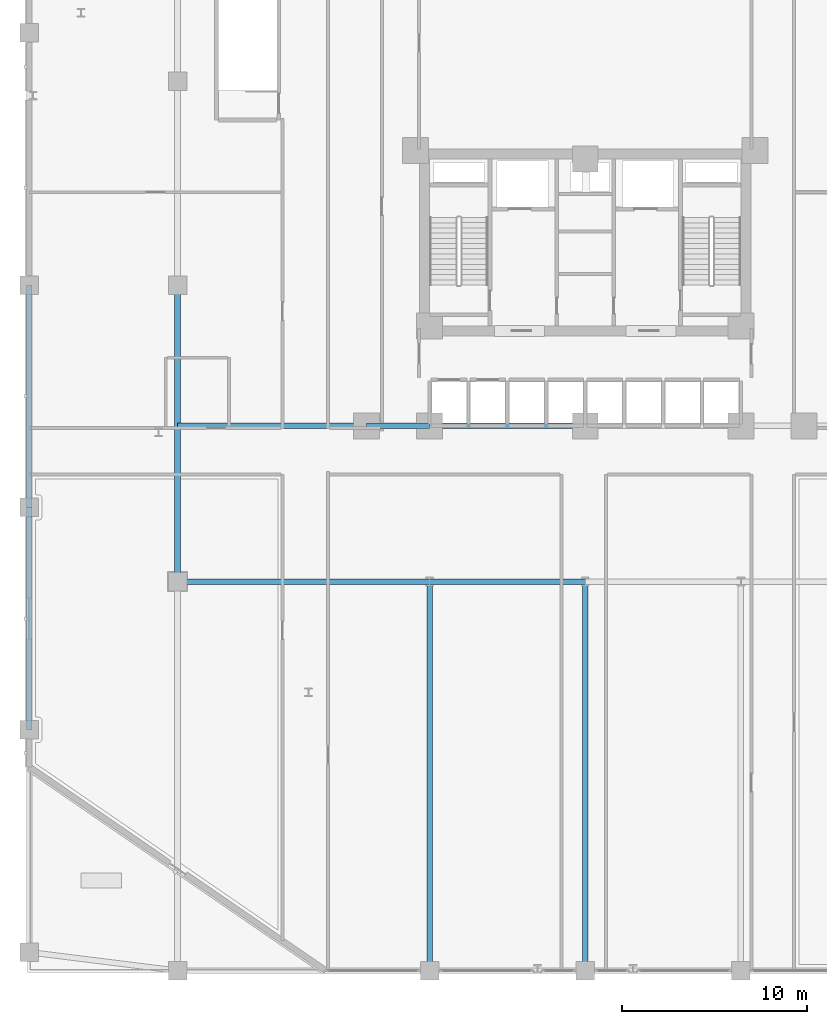
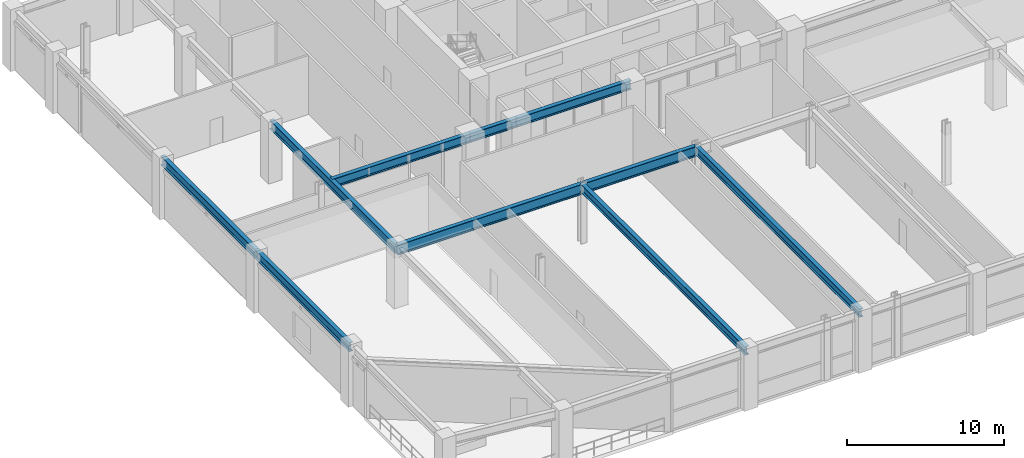
# One storey, part 4 of 26: 10 beams.
"""IFC4 building model written with IfcOpenShell, lengths in metres."""

from ifc_helpers import new_model, si_unit, derived_unit, direction, frame, origin, origin_2d, place, context, subcontext, project, spatial, i_section, extrude, source, transform, mapped, material, material_profile, profile_set, type_object, element, save


model = new_model("IFC4")

# Units and contexts
model_context = context("Model", 3, precision=1e-05, world=origin(), true_north=direction((0.0, 1.0)))
body_context = subcontext(model_context, "Body", "Model", "MODEL_VIEW")
ifc_project = project(units=[si_unit("LENGTHUNIT", "METRE"), si_unit("AREAUNIT", "SQUARE_METRE"), si_unit("VOLUMEUNIT", "CUBIC_METRE"), si_unit("PLANEANGLEUNIT", "RADIAN"), si_unit("MASSUNIT", "GRAM", prefix="KILO"), derived_unit("THERMALTRANSMITTANCEUNIT", [(si_unit("POWERUNIT", "WATT"), 1), (si_unit("LENGTHUNIT", "METRE"), -2), (si_unit("THERMODYNAMICTEMPERATUREUNIT", "KELVIN"), -1)])], contexts=[model_context])

# Site, building, storey
site_placement = place(None, origin())
site = spatial("IfcSite", under=ifc_project, at=site_placement, CompositionType="ELEMENT")
building_placement = place(site_placement, origin())
building = spatial("IfcBuilding", under=site, at=building_placement, Name="Korsvarv Bourse and Concert Hall", CompositionType="ELEMENT")
storey_placement = place(building_placement, frame((0.0, 0.0, 19.199951171875)))
storey = spatial("IfcBuildingStorey", under=building, at=storey_placement, Name="L04", CompositionType="ELEMENT", Elevation=19.199951171875)

# Beams
ifc_material_1 = material(Name="Steel S355", Category="steel")
ifc_material_profile_1 = material_profile(ifc_material_1, i_section(OverallWidth=0.300048828125, OverallDepth=0.699951171875, WebThickness=0.01708984375, FlangeThickness=0.031982421875, FilletRadius=0.027099609375, at=origin_2d()), Name="HEB 700")
ifc_profile_set_1 = profile_set([ifc_material_profile_1], Name="Steel S355")
beam_type_1 = type_object("IfcBeamType", Name="BM-HEB700", PredefinedType="BEAM", material=ifc_profile_set_1)
shared_shape_1 = source(origin(), body_context, "Body", "SweptSolid", [
    extrude(i_section(OverallWidth=0.300048828125, OverallDepth=0.699951171875, WebThickness=0.01708984375, FlangeThickness=0.031982421875, FilletRadius=0.027099609375, at=origin_2d()), origin(), (0.0, 0.0, 1.0), 12.0),
])
for number, where, z_axis, x_axis, name in (
    (1, (6.0, 16.0, 4.22998046875), (0.0, 1.0, 0.0), (-1.0, 0.0, 0.0), "L04 beam B-03"),
    (2, (6.0, 28.0, 4.22998046875), (0.0, 1.0, 0.0), (-1.0, 0.0, 0.0), "L04 beam B-03"),
):
    element("IfcBeam", number, at=place(storey_placement, frame(where, z_axis=z_axis, x_axis=x_axis)), inside=storey, type_object=beam_type_1, Name=name, PredefinedType="BEAM", context=body_context, shape_type="MappedRepresentation", body=[
        mapped(shared_shape_1, transform((0.0, 0.0, 0.0), scale=1.0)),
    ])
shared_shape_2 = source(origin(), body_context, "Body", "SweptSolid", [
    extrude(i_section(OverallWidth=0.300048828125, OverallDepth=0.699951171875, WebThickness=0.01708984375, FlangeThickness=0.031982421875, FilletRadius=0.027099609375, at=origin_2d()), origin(), (0.0, 0.0, 1.0), 8.39990234375),
])
beam_1_placement = place(storey_placement, frame((27.60009765625, 32.39990234375, 4.22998046875), z_axis=(1.0, 0.0, 0.0), x_axis=(0.0, 1.0, 0.0)))
element("IfcBeam", 3, at=beam_1_placement, inside=storey, type_object=beam_type_1, Name="L04 beam B-03", PredefinedType="BEAM", context=body_context, shape_type="MappedRepresentation", body=[
    mapped(shared_shape_2, transform((0.0, 0.0, 0.0), scale=1.0)),
])
shared_shape_3 = source(origin(), body_context, "Body", "SweptSolid", [
    extrude(i_section(OverallWidth=0.300048828125, OverallDepth=0.699951171875, WebThickness=0.01708984375, FlangeThickness=0.031982421875, FilletRadius=0.027099609375, at=origin_2d()), origin(), (0.0, 0.0, 1.0), 16.0),
])
beam_2_placement = place(storey_placement, frame((14.0, 24.0, 4.22998046875), z_axis=(0.0, 1.0, 0.0), x_axis=(-1.0, 0.0, 0.0)))
element("IfcBeam", 4, at=beam_2_placement, inside=storey, type_object=beam_type_1, Name="L04 beam B-03", PredefinedType="BEAM", context=body_context, shape_type="MappedRepresentation", body=[
    mapped(shared_shape_3, transform((0.0, 0.0, 0.0), scale=1.0)),
])
shared_shape_4 = source(origin(), body_context, "Body", "SweptSolid", [
    extrude(i_section(OverallWidth=0.300048828125, OverallDepth=0.699951171875, WebThickness=0.01708984375, FlangeThickness=0.031982421875, FilletRadius=0.027099609375, at=origin_2d()), origin(), (0.0, 0.0, 1.0), 10.199951171875),
])
beam_3_placement = place(storey_placement, frame((14.0, 32.39990234375, 4.22998046875), z_axis=(1.0, 0.0, 0.0), x_axis=(0.0, 1.0, 0.0)))
element("IfcBeam", 5, at=beam_3_placement, inside=storey, type_object=beam_type_1, Name="L04 beam B-03", PredefinedType="BEAM", context=body_context, shape_type="MappedRepresentation", body=[
    mapped(shared_shape_4, transform((0.0, 0.0, 0.0), scale=1.0)),
])
shared_shape_5 = source(origin(), body_context, "Body", "SweptSolid", [
    extrude(i_section(OverallWidth=0.300048828125, OverallDepth=0.699951171875, WebThickness=0.01708984375, FlangeThickness=0.031982421875, FilletRadius=0.027099609375, at=origin_2d()), origin(), (0.0, 0.0, 1.0), 3.400146484375),
])
beam_4_placement = place(storey_placement, frame((24.199951171875, 32.39990234375, 4.22998046875), z_axis=(1.0, 0.0, 0.0), x_axis=(0.0, 1.0, 0.0)))
element("IfcBeam", 6, at=beam_4_placement, inside=storey, type_object=beam_type_1, Name="L04 beam B-03", PredefinedType="BEAM", context=body_context, shape_type="MappedRepresentation", body=[
    mapped(shared_shape_5, transform((0.0, 0.0, 0.0), scale=1.0)),
])
ifc_material_2 = material(Name="Steel S460", Category="steel")
ifc_material_profile_2 = material_profile(ifc_material_2, i_section(OverallWidth=0.300048828125, OverallDepth=0.800048828125, WebThickness=0.017578125, FlangeThickness=0.032958984375, FilletRadius=0.027099609375, at=origin_2d()), Name="HEB 800")
ifc_profile_set_2 = profile_set([ifc_material_profile_2], Name="Steel S460")
beam_type_2 = type_object("IfcBeamType", Name="BM-HEB800", PredefinedType="BEAM", material=ifc_profile_set_2)
shared_shape_6 = source(origin(), body_context, "Body", "SweptSolid", [
    extrude(i_section(OverallWidth=0.300048828125, OverallDepth=0.800048828125, WebThickness=0.017578125, FlangeThickness=0.032958984375, FilletRadius=0.027099609375, at=origin_2d()), origin(), (0.0, 0.0, 1.0), 13.60009765625),
])
beam_5_placement = place(storey_placement, frame((14.0, 24.0, 4.179931640625), z_axis=(1.0, 0.0, 0.0), x_axis=(0.0, 1.0, 0.0)))
element("IfcBeam", 7, at=beam_5_placement, inside=storey, type_object=beam_type_2, Name="L04 beam B-02", PredefinedType="BEAM", context=body_context, shape_type="MappedRepresentation", body=[
    mapped(shared_shape_6, transform((0.0, 0.0, 0.0), scale=1.0)),
])
shared_shape_7 = source(origin(), body_context, "Body", "SweptSolid", [
    extrude(i_section(OverallWidth=0.300048828125, OverallDepth=0.800048828125, WebThickness=0.017578125, FlangeThickness=0.032958984375, FilletRadius=0.027099609375, at=origin_2d()), origin(), (0.0, 0.0, 1.0), 8.39990234375),
])
beam_6_placement = place(storey_placement, frame((27.60009765625, 24.0, 4.179931640625), z_axis=(1.0, 0.0, 0.0), x_axis=(0.0, 1.0, 0.0)))
element("IfcBeam", 8, at=beam_6_placement, inside=storey, type_object=beam_type_2, Name="L04 beam B-02", PredefinedType="BEAM", context=body_context, shape_type="MappedRepresentation", body=[
    mapped(shared_shape_7, transform((0.0, 0.0, 0.0), scale=1.0)),
])
ifc_material_profile_3 = material_profile(ifc_material_1, i_section(OverallWidth=0.300048828125, OverallDepth=0.64990234375, WebThickness=0.01611328125, FlangeThickness=0.031005859375, FilletRadius=0.027099609375, at=origin_2d()), Name="HEB 650")
ifc_profile_set_3 = profile_set([ifc_material_profile_3], Name="Steel S355")
beam_type_3 = type_object("IfcBeamType", Name="BM-HEB650", PredefinedType="BEAM", material=ifc_profile_set_3)
shared_shape_8 = source(origin(), body_context, "Body", "SweptSolid", [
    extrude(i_section(OverallWidth=0.300048828125, OverallDepth=0.64990234375, WebThickness=0.01611328125, FlangeThickness=0.031005859375, FilletRadius=0.027099609375, at=origin_2d()), origin(), (0.0, 0.0, 1.0), 21.0),
])
for number, where, z_axis, x_axis, name in (
    (9, (27.60009765625, 3.0, 4.255126953125), (0.0, 1.0, 0.0), (-1.0, 0.0, 0.0), "L04 beam B-04"),
    (10, (36.0, 3.0, 4.255126953125), (0.0, 1.0, 0.0), (-1.0, 0.0, 0.0), "L04 beam B-04"),
):
    element("IfcBeam", number, at=place(storey_placement, frame(where, z_axis=z_axis, x_axis=x_axis)), inside=storey, type_object=beam_type_3, Name=name, PredefinedType="BEAM", context=body_context, shape_type="MappedRepresentation", body=[
        mapped(shared_shape_8, transform((0.0, 0.0, 0.0), scale=1.0)),
    ])

save(model, "model.ifc")
